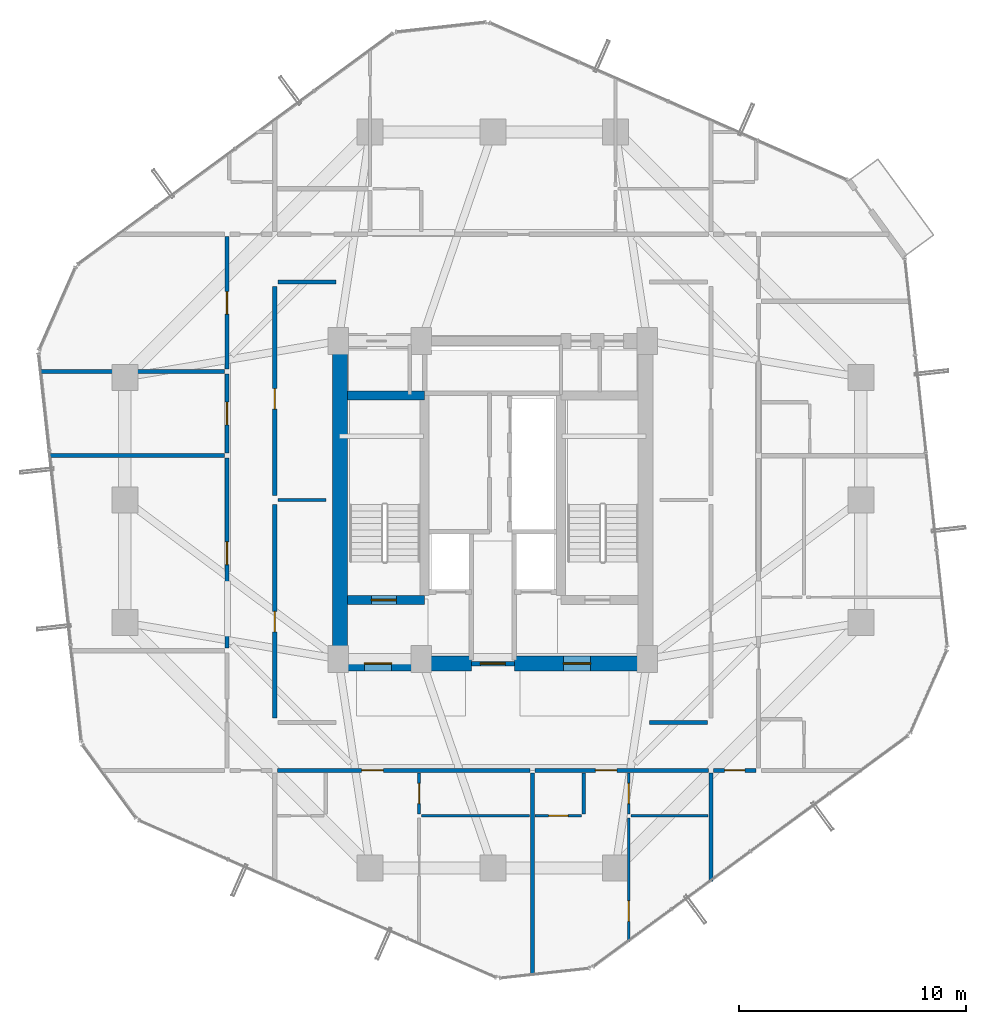
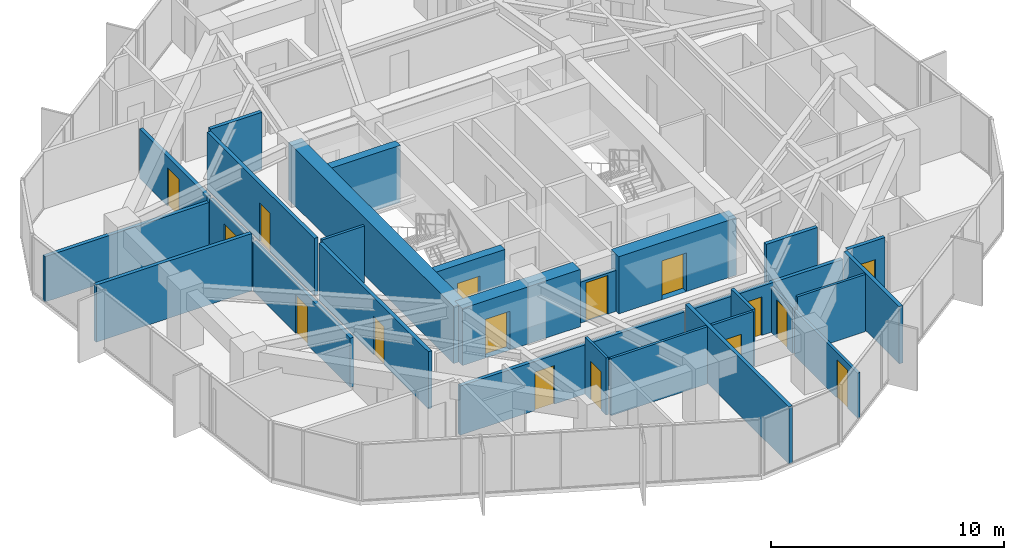
# One storey, part 29 of 34: 28 walls, 16 doors, 16 openings.
"""IFC4 building model written with IfcOpenShell, lengths in metres."""

from ifc_helpers import new_model, si_unit, direction, frame, frame_2d, origin, place, context, subcontext, project, spatial, rectangle, extrude, source, transform, mapped, material, layer, layer_set, type_object, element, fill, save


model = new_model("IFC4")

# Units and contexts
model_context = context("Model", 3, precision=1e-05, world=origin(), true_north=direction((0.0, 1.0)))
body_context = subcontext(model_context, "Body", "Model", "MODEL_VIEW")
ifc_project = project(units=[si_unit("LENGTHUNIT", "METRE"), si_unit("AREAUNIT", "SQUARE_METRE"), si_unit("VOLUMEUNIT", "CUBIC_METRE"), si_unit("PLANEANGLEUNIT", "RADIAN"), si_unit("MASSUNIT", "GRAM", prefix="KILO")], contexts=[model_context])

# Site, building, storey
site_placement = place(None, origin())
site = spatial("IfcSite", under=ifc_project, at=site_placement, CompositionType="ELEMENT")
building_placement = place(site_placement, origin())
building = spatial("IfcBuilding", under=site, at=building_placement, Name="Veraguas Prism Commons", CompositionType="ELEMENT")
storey_placement = place(building_placement, frame((0.0, 0.0, 149.0)))
storey = spatial("IfcBuildingStorey", under=building, at=storey_placement, Name="L42", CompositionType="ELEMENT", Elevation=149.0)

# Wall, opening, door
ifc_material_1 = material(Name="Concrete C50/60", Category="concrete")
ifc_layer_1 = layer(ifc_material_1, 0.39990234375, Name="Clinic and Mid Core Shear Wall RC 400", Category="concrete")
ifc_layer_set_1 = layer_set([ifc_layer_1], Name="Concrete C50/60")
wall_type_1 = type_object("IfcWallType", Name="Clinic and Mid Core Shear Wall RC 400", PredefinedType="SHEAR", material=ifc_layer_set_1)
wall_1_placement = place(storey_placement, frame((17.60009765625, 19.60009765625, 0.0), z_axis=(0.0, 0.0, 1.0), x_axis=(1.0, 0.0, 0.0)))
wall_1 = element("IfcWall", 1, at=wall_1_placement, inside=storey, type_object=wall_type_1, Name="Stair ST-01 South Shear Wall L42", PredefinedType="SHEAR", context=body_context, shape_type="SweptSolid", body=[
    extrude(rectangle(XDim=3.39990234375, YDim=0.39990234375, at=frame_2d((1.699951171875, 0.0))), origin(), (0.0, 0.0, 1.0), 3.0),
])
opening_1_placement = place(wall_1_placement, frame((1.050048828125, 0.0, 0.0)))
opening_1 = element("IfcOpeningElement", 2, at=opening_1_placement, cuts=wall_1, Name="Opening DR-05", PredefinedType="OPENING", context=body_context, shape_type="SweptSolid", body=[
    extrude(rectangle(XDim=1.10009765625, YDim=2.030029296875, at=frame_2d((0.550048828125, 1.01513671875))), frame((0.0, 0.2099609375, 0.0), z_axis=(0.0, -1.0, 0.0), x_axis=(1.0, 0.0, 0.0)), (0.0, 0.0, 1.0), 0.419921875),
])
ifc_material_2 = material(Name="Steel fire-rated door assembly", Category="steel")
door_type_1 = type_object("IfcDoorType", Name="Protected Stair and Refuge Fire Door 1100x2030", OperationType="NOTDEFINED", PredefinedType="DOOR", material=ifc_material_2)
shared_shape_1 = source(origin(), body_context, "Body", "SweptSolid", [
    extrude(rectangle(XDim=1.10009765625, YDim=2.030029296875, at=frame_2d((0.550048828125, 1.01513671875))), frame((0.0, 0.02490234375, 0.0), z_axis=(0.0, -1.0, 0.0), x_axis=(1.0, 0.0, 0.0)), (0.0, 0.0, 1.0), 0.050048828125),
])
door_1_placement = place(opening_1_placement, origin())
door_1 = element("IfcDoor", 3, at=door_1_placement, inside=storey, type_object=door_type_1, Name="Stair ST-01 Enclosure Door L42", OperationType="SINGLE_SWING_LEFT", OverallHeight=2.030029296875, OverallWidth=1.10009765625, PredefinedType="DOOR", context=body_context, shape_type="MappedRepresentation", body=[
    mapped(shared_shape_1, transform((0.0, 0.0, 0.0), scale=1.0)),
])
fill(opening_1, door_1)

# Walls
wall_2_placement = place(storey_placement, frame((17.60009765625, 28.60009765625, 0.0), z_axis=(0.0, 0.0, 1.0), x_axis=(1.0, 0.0, 0.0)))
element("IfcWall", 4, at=wall_2_placement, inside=storey, type_object=wall_type_1, Name="Stair ST-01 North Shear Wall L42", PredefinedType="SHEAR", context=body_context, shape_type="SweptSolid", body=[
    extrude(rectangle(XDim=3.39990234375, YDim=0.39990234375, at=frame_2d((1.699951171875, 0.0))), origin(), (0.0, 0.0, 1.0), 3.0),
])
ifc_material_3 = material(Name="Concrete C55/67", Category="concrete")
ifc_layer_2 = layer(ifc_material_3, 0.64990234375, Name="Core Outer Shear Wall Mid RC 650", Category="concrete")
ifc_layer_set_2 = layer_set([ifc_layer_2], Name="Concrete C55/67")
wall_type_2 = type_object("IfcWallType", Name="Core Outer Shear Wall Mid RC 650", PredefinedType="SHEAR", material=ifc_layer_set_2)
wall_3_placement = place(storey_placement, frame((17.27490234375, 16.800048828125, 0.0), z_axis=(0.0, 0.0, 1.0), x_axis=(0.0, 1.0, 0.0)))
element("IfcWall", 5, at=wall_3_placement, inside=storey, type_object=wall_type_2, Name="Central Core West Shear Wall L42", PredefinedType="SHEAR", context=body_context, shape_type="SweptSolid", body=[
    extrude(rectangle(XDim=14.199951171875, YDim=0.64990234375, at=frame_2d((7.10009765625, 0.0))), origin(), (0.0, 0.0, 1.0), 3.0),
])

# Wall, opening, door
wall_4_placement = place(storey_placement, frame((17.199951171875, 16.800048828125, 0.0), z_axis=(0.0, 0.0, 1.0), x_axis=(1.0, 0.0, 0.0)))
wall_4 = element("IfcWall", 6, at=wall_4_placement, inside=storey, type_object=wall_type_2, Name="Central Core South-West Shear Wall L42", PredefinedType="SHEAR", context=body_context, shape_type="SweptSolid", body=[
    extrude(rectangle(XDim=5.85009765625, YDim=0.64990234375, at=frame_2d((2.925048828125, 0.0))), origin(), (0.0, 0.0, 1.0), 3.0),
])
opening_2_placement = place(wall_4_placement, frame((1.14990234375, 0.0, 0.0)))
opening_2 = element("IfcOpeningElement", 7, at=opening_2_placement, cuts=wall_4, Name="Opening DR-06", PredefinedType="OPENING", context=body_context, shape_type="SweptSolid", body=[
    extrude(rectangle(XDim=1.199951171875, YDim=2.030029296875, at=frame_2d((0.60009765625, 1.01513671875))), frame((0.0, 0.3349609375, 0.0), z_axis=(0.0, -1.0, 0.0), x_axis=(1.0, 0.0, 0.0)), (0.0, 0.0, 1.0), 0.669921875),
])
door_type_2 = type_object("IfcDoorType", Name="Firefighting Lobby Smoke Door 1200x2030", OperationType="NOTDEFINED", PredefinedType="DOOR", material=ifc_material_2)
shared_shape_2 = source(origin(), body_context, "Body", "SweptSolid", [
    extrude(rectangle(XDim=1.199951171875, YDim=2.030029296875, at=frame_2d((0.60009765625, 1.01513671875))), frame((0.0, 0.02490234375, 0.0), z_axis=(0.0, -1.0, 0.0), x_axis=(1.0, 0.0, 0.0)), (0.0, 0.0, 1.0), 0.050048828125),
])
door_2_placement = place(opening_2_placement, origin())
door_2 = element("IfcDoor", 8, at=door_2_placement, inside=storey, type_object=door_type_2, Name="West FF Lobby Door L42", OperationType="SINGLE_SWING_LEFT", OverallHeight=2.030029296875, OverallWidth=1.199951171875, PredefinedType="DOOR", context=body_context, shape_type="MappedRepresentation", body=[
    mapped(shared_shape_2, transform((0.0, 0.0, 0.0), scale=1.0)),
])
fill(opening_2, door_2)

wall_5_placement = place(storey_placement, frame((24.949951171875, 16.800048828125, 0.0), z_axis=(0.0, 0.0, 1.0), x_axis=(1.0, 0.0, 0.0)))
wall_5 = element("IfcWall", 9, at=wall_5_placement, inside=storey, type_object=wall_type_2, Name="Central Core South-East Shear Wall L42", PredefinedType="SHEAR", context=body_context, shape_type="SweptSolid", body=[
    extrude(rectangle(XDim=5.85009765625, YDim=0.64990234375, at=frame_2d((2.925048828125, 0.0))), origin(), (0.0, 0.0, 1.0), 3.0),
])
opening_3_placement = place(wall_5_placement, frame((2.14990234375, 0.0, 0.0)))
opening_3 = element("IfcOpeningElement", 10, at=opening_3_placement, cuts=wall_5, Name="Opening DR-06", PredefinedType="OPENING", context=body_context, shape_type="SweptSolid", body=[
    extrude(rectangle(XDim=1.199951171875, YDim=2.030029296875, at=frame_2d((0.60009765625, 1.01513671875))), frame((0.0, 0.3349609375, 0.0), z_axis=(0.0, -1.0, 0.0), x_axis=(1.0, 0.0, 0.0)), (0.0, 0.0, 1.0), 0.669921875),
])
door_3_placement = place(opening_3_placement, origin())
door_3 = element("IfcDoor", 11, at=door_3_placement, inside=storey, type_object=door_type_2, Name="East FF Lobby Door L42", OperationType="SINGLE_SWING_LEFT", OverallHeight=2.030029296875, OverallWidth=1.199951171875, PredefinedType="DOOR", context=body_context, shape_type="MappedRepresentation", body=[
    mapped(shared_shape_2, transform((0.0, 0.0, 0.0), scale=1.0)),
])
fill(opening_3, door_3)

ifc_material_4 = material(Name="Autoclaved aerated masonry block 10 MPa", Category="masonry")
ifc_layer_3 = layer(ifc_material_4, 0.179931640625, Name="Corridor and Inter-Tenancy Partition 180", Category="masonry")
ifc_layer_set_3 = layer_set([ifc_layer_3], Name="Autoclaved aerated masonry block 10 MPa")
wall_type_3 = type_object("IfcWallType", Name="Corridor and Inter-Tenancy Partition 180", PredefinedType="PARTITIONING", material=ifc_layer_set_3)
wall_6_placement = place(storey_placement, frame((14.39990234375, 14.39990234375, 0.0), z_axis=(0.0, 0.0, 1.0), x_axis=(0.0, 1.0, 0.0)))
wall_6 = element("IfcWall", 12, at=wall_6_placement, inside=storey, type_object=wall_type_3, Name="WL-L42-IRW1", PredefinedType="PARTITIONING", context=body_context, shape_type="SweptSolid", body=[
    extrude(rectangle(XDim=9.400146484375, YDim=0.179931640625, at=frame_2d((4.7001953125, 0.0))), origin(), (0.0, 0.0, 1.0), 3.0),
])
opening_4_placement = place(wall_6_placement, frame((3.800048828125, 0.0, 0.0)))
opening_4 = element("IfcOpeningElement", 13, at=opening_4_placement, cuts=wall_6, Name="Opening DR-14", PredefinedType="OPENING", context=body_context, shape_type="SweptSolid", body=[
    extrude(rectangle(XDim=0.89990234375, YDim=2.010009765625, at=frame_2d((0.449951171875, 1.0048828125))), frame((0.0, 0.099853515625, 0.0), z_axis=(0.0, -1.0, 0.0), x_axis=(1.0, 0.0, 0.0)), (0.0, 0.0, 1.0), 0.199951171875),
])
door_type_3 = type_object("IfcDoorType", Name="Core Service Room Fire Door 900x2010", OperationType="NOTDEFINED", PredefinedType="DOOR", material=ifc_material_2)
shared_shape_3 = source(origin(), body_context, "Body", "SweptSolid", [
    extrude(rectangle(XDim=0.89990234375, YDim=2.010009765625, at=frame_2d((0.449951171875, 1.0048828125))), frame((0.0, 0.02490234375, 0.0), z_axis=(0.0, -1.0, 0.0), x_axis=(1.0, 0.0, 0.0)), (0.0, 0.0, 1.0), 0.050048828125),
])
door_4_placement = place(opening_4_placement, origin())
door_4 = element("IfcDoor", 14, at=door_4_placement, inside=storey, type_object=door_type_3, Name="Residents Quiet Study Pod Door L42", OperationType="SINGLE_SWING_RIGHT", OverallHeight=2.010009765625, OverallWidth=0.89990234375, PredefinedType="DOOR", context=body_context, shape_type="MappedRepresentation", body=[
    mapped(shared_shape_3, transform((0.0, 0.0, 0.0), scale=1.0)),
])
fill(opening_4, door_4)

wall_7_placement = place(storey_placement, frame((14.39990234375, 24.199951171875, 0.0), z_axis=(0.0, 0.0, 1.0), x_axis=(0.0, 1.0, 0.0)))
wall_7 = element("IfcWall", 15, at=wall_7_placement, inside=storey, type_object=wall_type_3, Name="WL-L42-IRW2", PredefinedType="PARTITIONING", context=body_context, shape_type="SweptSolid", body=[
    extrude(rectangle(XDim=9.199951171875, YDim=0.179931640625, at=frame_2d((4.60009765625, 0.0))), origin(), (0.0, 0.0, 1.0), 3.0),
])
opening_5_placement = place(wall_7_placement, frame((3.800048828125, 0.0, 0.0)))
opening_5 = element("IfcOpeningElement", 16, at=opening_5_placement, cuts=wall_7, Name="Opening DR-14", PredefinedType="OPENING", context=body_context, shape_type="SweptSolid", body=[
    extrude(rectangle(XDim=0.89990234375, YDim=2.010009765625, at=frame_2d((0.449951171875, 1.0048828125))), frame((0.0, 0.099853515625, 0.0), z_axis=(0.0, -1.0, 0.0), x_axis=(1.0, 0.0, 0.0)), (0.0, 0.0, 1.0), 0.199951171875),
])
door_5_placement = place(opening_5_placement, origin())
door_5 = element("IfcDoor", 17, at=door_5_placement, inside=storey, type_object=door_type_3, Name="Co-op Cycle and Pram Store Door L42", OperationType="SINGLE_SWING_LEFT", OverallHeight=2.010009765625, OverallWidth=0.89990234375, PredefinedType="DOOR", context=body_context, shape_type="MappedRepresentation", body=[
    mapped(shared_shape_3, transform((0.0, 0.0, 0.0), scale=1.0)),
])
fill(opening_5, door_5)

# Walls
for number, where, z_axis, x_axis, name in (
    (18, (14.550048828125, 33.60009765625, 0.0), (0.0, 0.0, 1.0), (1.0, 0.0, 0.0), "WL-L42-IRWN"),
    (19, (30.89990234375, 14.199951171875, 0.0), (0.0, 0.0, 1.0), (1.0, 0.0, 0.0), "WL-L42-IRES"),
):
    element("IfcWall", number, at=place(storey_placement, frame(where, z_axis=z_axis, x_axis=x_axis)), inside=storey, type_object=wall_type_3, Name=name, PredefinedType="PARTITIONING", context=body_context, shape_type="SweptSolid", body=[
        extrude(rectangle(XDim=2.550048828125, YDim=0.179931640625, at=frame_2d((1.27490234375, 0.0))), origin(), (0.0, 0.0, 1.0), 3.0),
    ])
wall_8_placement = place(storey_placement, frame((33.60009765625, 11.97998046875, 0.0), z_axis=(0.0, 0.0, 1.0), x_axis=(0.0, -1.0, 0.0)))
element("IfcWall", 20, at=wall_8_placement, inside=storey, type_object=wall_type_3, Name="WL-L42-PT002", PredefinedType="PARTITIONING", context=body_context, shape_type="SweptSolid", body=[
    extrude(rectangle(XDim=4.76513671875, YDim=0.179931640625, at=frame_2d((2.382568359375, 0.0))), origin(), (0.0, 0.0, 1.0), 3.0),
])

# Wall, opening, door
wall_9_placement = place(storey_placement, frame((14.510009765625, 12.10009765625, 0.0), z_axis=(0.0, 0.0, 1.0), x_axis=(1.0, 0.0, 0.0)))
wall_9 = element("IfcWall", 21, at=wall_9_placement, inside=storey, type_object=wall_type_3, Name="WL-L42-PT003", PredefinedType="PARTITIONING", context=body_context, shape_type="SweptSolid", body=[
    extrude(rectangle(XDim=11.1240234375, YDim=0.179931640625, at=frame_2d((5.56201171875, 0.0))), origin(), (0.0, 0.0, 1.0), 2.580078125),
])
opening_6_placement = place(wall_9_placement, frame((3.716552734375, 0.0, 0.0)))
opening_6 = element("IfcOpeningElement", 22, at=opening_6_placement, cuts=wall_9, Name="Opening DR-01", PredefinedType="OPENING", context=body_context, shape_type="SweptSolid", body=[
    extrude(rectangle(XDim=0.949951171875, YDim=2.02001953125, at=frame_2d((0.47509765625, 1.010009765625))), frame((0.0, 0.099853515625, 0.0), z_axis=(0.0, -1.0, 0.0), x_axis=(1.0, 0.0, 0.0)), (0.0, 0.0, 1.0), 0.199951171875),
])
ifc_material_5 = material(Name="Anodised aluminium EN AW-6063 T6", Category="aluminium")
door_type_4 = type_object("IfcDoorType", Name="Apartment Entrance Fire Door 950x2020", OperationType="NOTDEFINED", PredefinedType="DOOR", material=ifc_material_5)
shared_shape_4 = source(origin(), body_context, "Body", "SweptSolid", [
    extrude(rectangle(XDim=0.949951171875, YDim=2.02001953125, at=frame_2d((0.47509765625, 1.010009765625))), frame((0.0, 0.02490234375, 0.0), z_axis=(0.0, -1.0, 0.0), x_axis=(1.0, 0.0, 0.0)), (0.0, 0.0, 1.0), 0.050048828125),
])
door_6_placement = place(opening_6_placement, origin())
door_6 = element("IfcDoor", 23, at=door_6_placement, inside=storey, type_object=door_type_4, Name="Flat 42A Entrance Door", OperationType="SINGLE_SWING_RIGHT", OverallHeight=2.02001953125, OverallWidth=0.949951171875, PredefinedType="DOOR", context=body_context, shape_type="MappedRepresentation", body=[
    mapped(shared_shape_4, transform((0.0, 0.0, 0.0), scale=1.0)),
])
fill(opening_6, door_6)

# Wall
wall_10_placement = place(storey_placement, frame((25.743896484375, 11.97998046875, 0.0), z_axis=(0.0, 0.0, 1.0), x_axis=(0.0, -1.0, 0.0)))
element("IfcWall", 24, at=wall_10_placement, inside=storey, type_object=wall_type_3, Name="WL-L42-PT009", PredefinedType="PARTITIONING", context=body_context, shape_type="SweptSolid", body=[
    extrude(rectangle(XDim=8.8955078125, YDim=0.179931640625, at=frame_2d((4.44775390625, 0.0))), origin(), (0.0, 0.0, 1.0), 3.0),
])

# Wall, opening, door
wall_11_placement = place(storey_placement, frame((25.85400390625, 12.10009765625, 0.0), z_axis=(0.0, 0.0, 1.0), x_axis=(1.0, 0.0, 0.0)))
wall_11 = element("IfcWall", 25, at=wall_11_placement, inside=storey, type_object=wall_type_3, Name="WL-L42-PT010", PredefinedType="PARTITIONING", context=body_context, shape_type="SweptSolid", body=[
    extrude(rectangle(XDim=7.635986328125, YDim=0.179931640625, at=frame_2d((3.81787109375, 0.0))), origin(), (0.0, 0.0, 1.0), 2.580078125),
])
opening_7_placement = place(wall_11_placement, frame((2.660888671875, 0.0, 0.0)))
opening_7 = element("IfcOpeningElement", 26, at=opening_7_placement, cuts=wall_11, Name="Opening DR-01", PredefinedType="OPENING", context=body_context, shape_type="SweptSolid", body=[
    extrude(rectangle(XDim=0.949951171875, YDim=2.02001953125, at=frame_2d((0.47509765625, 1.010009765625))), frame((0.0, 0.099853515625, 0.0), z_axis=(0.0, -1.0, 0.0), x_axis=(1.0, 0.0, 0.0)), (0.0, 0.0, 1.0), 0.199951171875),
])
door_7_placement = place(opening_7_placement, origin())
door_7 = element("IfcDoor", 27, at=door_7_placement, inside=storey, type_object=door_type_4, Name="Flat 42B Entrance Door", OperationType="SINGLE_SWING_RIGHT", OverallHeight=2.02001953125, OverallWidth=0.949951171875, PredefinedType="DOOR", context=body_context, shape_type="MappedRepresentation", body=[
    mapped(shared_shape_4, transform((0.0, 0.0, 0.0), scale=1.0)),
])
fill(opening_7, door_7)

wall_12_placement = place(storey_placement, frame((12.300048828125, 17.47412109375, 0.0), z_axis=(0.0, 0.0, 1.0), x_axis=(0.0, 1.0, 0.0)))
wall_12 = element("IfcWall", 28, at=wall_12_placement, inside=storey, type_object=wall_type_3, Name="WL-L42-PT031", PredefinedType="PARTITIONING", context=body_context, shape_type="SweptSolid", body=[
    extrude(rectangle(XDim=8.367919921875, YDim=0.179931640625, at=frame_2d((4.18408203125, 0.0))), origin(), (0.0, 0.0, 1.0), 2.580078125),
])
opening_8_placement = place(wall_12_placement, frame((3.68408203125, 0.0, 0.0)))
opening_8 = element("IfcOpeningElement", 29, at=opening_8_placement, cuts=wall_12, Name="Opening DR-13", PredefinedType="OPENING", context=body_context, shape_type="SweptSolid", body=[
    extrude(rectangle(XDim=1.0, YDim=2.010009765625, at=frame_2d((0.5, 1.0048828125))), frame((0.0, 0.099853515625, 0.0), z_axis=(0.0, -1.0, 0.0), x_axis=(1.0, 0.0, 0.0)), (0.0, 0.0, 1.0), 0.199951171875),
])
door_type_5 = type_object("IfcDoorType", Name="Core Accessible WC and Clinic Fire Door 1000x2010", OperationType="NOTDEFINED", PredefinedType="DOOR", material=ifc_material_2)
shared_shape_5 = source(origin(), body_context, "Body", "SweptSolid", [
    extrude(rectangle(XDim=1.0, YDim=2.010009765625, at=frame_2d((0.5, 1.0048828125))), frame((0.0, 0.02490234375, 0.0), z_axis=(0.0, -1.0, 0.0), x_axis=(1.0, 0.0, 0.0)), (0.0, 0.0, 1.0), 0.050048828125),
])
door_8_placement = place(opening_8_placement, origin())
door_8 = element("IfcDoor", 30, at=door_8_placement, inside=storey, type_object=door_type_5, Name="Co-op Store W Door", OperationType="SINGLE_SWING_LEFT", OverallHeight=2.010009765625, OverallWidth=1.0, PredefinedType="DOOR", context=body_context, shape_type="MappedRepresentation", body=[
    mapped(shared_shape_5, transform((0.0, 0.0, 0.0), scale=1.0)),
])
fill(opening_8, door_8)

# Wall
wall_13_placement = place(storey_placement, frame((12.179931640625, 25.951904296875, 0.0), z_axis=(0.0, 0.0, 1.0), x_axis=(-1.0, 0.0, 0.0)))
element("IfcWall", 31, at=wall_13_placement, inside=storey, type_object=wall_type_3, Name="WL-L42-PT033", PredefinedType="PARTITIONING", context=body_context, shape_type="SweptSolid", body=[
    extrude(rectangle(XDim=7.7216796875, YDim=0.179931640625, at=frame_2d((3.86083984375, 0.0))), origin(), (0.0, 0.0, 1.0), 3.0),
])

# Wall, opening, door
wall_14_placement = place(storey_placement, frame((12.300048828125, 26.06201171875, 0.0), z_axis=(0.0, 0.0, 1.0), x_axis=(0.0, 1.0, 0.0)))
wall_14 = element("IfcWall", 32, at=wall_14_placement, inside=storey, type_object=wall_type_3, Name="WL-L42-PT034", PredefinedType="PARTITIONING", context=body_context, shape_type="SweptSolid", body=[
    extrude(rectangle(XDim=3.48388671875, YDim=0.179931640625, at=frame_2d((1.741943359375, 0.0))), origin(), (0.0, 0.0, 1.0), 2.580078125),
])
opening_9_placement = place(wall_14_placement, frame((1.241943359375, 0.0, 0.0)))
opening_9 = element("IfcOpeningElement", 33, at=opening_9_placement, cuts=wall_14, Name="Opening DR-13", PredefinedType="OPENING", context=body_context, shape_type="SweptSolid", body=[
    extrude(rectangle(XDim=1.0, YDim=2.010009765625, at=frame_2d((0.5, 1.0048828125))), frame((0.0, 0.099853515625, 0.0), z_axis=(0.0, -1.0, 0.0), x_axis=(1.0, 0.0, 0.0)), (0.0, 0.0, 1.0), 0.199951171875),
])
door_9_placement = place(opening_9_placement, origin())
door_9 = element("IfcDoor", 34, at=door_9_placement, inside=storey, type_object=door_type_5, Name="Youth Homework Study Room Door", OperationType="SINGLE_SWING_RIGHT", OverallHeight=2.010009765625, OverallWidth=1.0, PredefinedType="DOOR", context=body_context, shape_type="MappedRepresentation", body=[
    mapped(shared_shape_5, transform((0.0, 0.0, 0.0), scale=1.0)),
])
fill(opening_9, door_9)

wall_15_placement = place(storey_placement, frame((12.300048828125, 29.76611328125, 0.0), z_axis=(0.0, 0.0, 1.0), x_axis=(0.0, 1.0, 0.0)))
wall_15 = element("IfcWall", 35, at=wall_15_placement, inside=storey, type_object=wall_type_3, Name="WL-L42-PT035", PredefinedType="PARTITIONING", context=body_context, shape_type="SweptSolid", body=[
    extrude(rectangle(XDim=5.823974609375, YDim=0.179931640625, at=frame_2d((2.912109375, 0.0))), origin(), (0.0, 0.0, 1.0), 2.580078125),
])
opening_10_placement = place(wall_15_placement, frame((2.412109375, 0.0, 0.0)))
opening_10 = element("IfcOpeningElement", 36, at=opening_10_placement, cuts=wall_15, Name="Opening DR-13", PredefinedType="OPENING", context=body_context, shape_type="SweptSolid", body=[
    extrude(rectangle(XDim=1.0, YDim=2.010009765625, at=frame_2d((0.5, 1.0048828125))), frame((0.0, 0.099853515625, 0.0), z_axis=(0.0, -1.0, 0.0), x_axis=(1.0, 0.0, 0.0)), (0.0, 0.0, 1.0), 0.199951171875),
])
door_10_placement = place(opening_10_placement, origin())
door_10 = element("IfcDoor", 37, at=door_10_placement, inside=storey, type_object=door_type_5, Name="Co-op Store W Door", OperationType="SINGLE_SWING_LEFT", OverallHeight=2.010009765625, OverallWidth=1.0, PredefinedType="DOOR", context=body_context, shape_type="MappedRepresentation", body=[
    mapped(shared_shape_5, transform((0.0, 0.0, 0.0), scale=1.0)),
])
fill(opening_10, door_10)

# Wall
wall_16_placement = place(storey_placement, frame((12.179931640625, 29.656005859375, 0.0), z_axis=(0.0, 0.0, 1.0), x_axis=(-1.0, 0.0, 0.0)))
element("IfcWall", 38, at=wall_16_placement, inside=storey, type_object=wall_type_3, Name="WL-L42-PT036", PredefinedType="PARTITIONING", context=body_context, shape_type="SweptSolid", body=[
    extrude(rectangle(XDim=8.1279296875, YDim=0.179931640625, at=frame_2d((4.06396484375, 0.0))), origin(), (0.0, 0.0, 1.0), 2.3779296875),
])

# Wall, opening, door
wall_17_placement = place(storey_placement, frame((33.719970703125, 12.10009765625, 0.0), z_axis=(0.0, 0.0, 1.0), x_axis=(1.0, 0.0, 0.0)))
wall_17 = element("IfcWall", 39, at=wall_17_placement, inside=storey, type_object=wall_type_3, Name="WL-L42-PT052", PredefinedType="PARTITIONING", context=body_context, shape_type="SweptSolid", body=[
    extrude(rectangle(XDim=1.860107421875, YDim=0.179931640625, at=frame_2d((0.93017578125, 0.0))), origin(), (0.0, 0.0, 1.0), 3.0),
])
opening_11_placement = place(wall_17_placement, frame((0.47998046875, 0.0, 0.0)))
opening_11 = element("IfcOpeningElement", 40, at=opening_11_placement, cuts=wall_17, Name="Opening DR-14", PredefinedType="OPENING", context=body_context, shape_type="SweptSolid", body=[
    extrude(rectangle(XDim=0.89990234375, YDim=2.010009765625, at=frame_2d((0.449951171875, 1.0048828125))), frame((0.0, 0.099853515625, 0.0), z_axis=(0.0, -1.0, 0.0), x_axis=(1.0, 0.0, 0.0)), (0.0, 0.0, 1.0), 0.199951171875),
])
door_11_placement = place(opening_11_placement, origin())
door_11 = element("IfcDoor", 41, at=door_11_placement, inside=storey, type_object=door_type_3, Name="Community Co-op Kitchen SE Door", OperationType="SINGLE_SWING_RIGHT", OverallHeight=2.010009765625, OverallWidth=0.89990234375, PredefinedType="DOOR", context=body_context, shape_type="MappedRepresentation", body=[
    mapped(shared_shape_3, transform((0.0, 0.0, 0.0), scale=1.0)),
])
fill(opening_11, door_11)

# Wall
ifc_material_6 = material(Name="Lightweight acoustic gypsum board")
ifc_layer_4 = layer(ifc_material_6, 0.125, Name="Internal Apartment Room Partition 125")
ifc_layer_set_4 = layer_set([ifc_layer_4], Name="Lightweight acoustic gypsum board")
wall_type_4 = type_object("IfcWallType", Name="Internal Apartment Room Partition 125", PredefinedType="PARTITIONING", material=ifc_layer_set_4)
wall_18_placement = place(storey_placement, frame((14.550048828125, 24.0, 0.0), z_axis=(0.0, 0.0, 1.0), x_axis=(1.0, 0.0, 0.0)))
element("IfcWall", 42, at=wall_18_placement, inside=storey, type_object=wall_type_4, Name="WL-L42-IRWM", PredefinedType="PARTITIONING", context=body_context, shape_type="SweptSolid", body=[
    extrude(rectangle(XDim=2.099853515625, YDim=0.125, at=frame_2d((1.0498046875, 0.0))), origin(), (0.0, 0.0, 1.0), 3.0),
])

# Wall, opening, door
wall_19_placement = place(storey_placement, frame((20.7529296875, 11.97998046875, 0.0), z_axis=(0.0, 0.0, 1.0), x_axis=(0.0, -1.0, 0.0)))
wall_19 = element("IfcWall", 43, at=wall_19_placement, inside=storey, type_object=wall_type_4, Name="WL-L42-PT006", PredefinedType="PARTITIONING", context=body_context, shape_type="SweptSolid", body=[
    extrude(rectangle(XDim=1.800048828125, YDim=0.125, at=frame_2d((0.89990234375, 0.0))), origin(), (0.0, 0.0, 1.0), 3.0),
])
opening_12_placement = place(wall_19_placement, frame((0.449951171875, 0.0, 0.0)))
opening_12 = element("IfcOpeningElement", 44, at=opening_12_placement, cuts=wall_19, Name="Opening DR-02", PredefinedType="OPENING", context=body_context, shape_type="SweptSolid", body=[
    extrude(rectangle(XDim=0.89990234375, YDim=2.010009765625, at=frame_2d((0.449951171875, 1.0048828125))), frame((0.0, 0.072509765625, 0.0), z_axis=(0.0, -1.0, 0.0), x_axis=(1.0, 0.0, 0.0)), (0.0, 0.0, 1.0), 0.14501953125),
])
ifc_material_7 = material(Name="Timber solid core hardwood", Category="wood")
door_type_6 = type_object("IfcDoorType", Name="Internal Habitable Room Door 900x2010", OperationType="NOTDEFINED", PredefinedType="DOOR", material=ifc_material_7)
door_12_placement = place(opening_12_placement, origin())
door_12 = element("IfcDoor", 45, at=door_12_placement, inside=storey, type_object=door_type_6, Name="Flat 42A Kitchen Door", OperationType="SINGLE_SWING_RIGHT", OverallHeight=2.010009765625, OverallWidth=0.89990234375, PredefinedType="DOOR", context=body_context, shape_type="MappedRepresentation", body=[
    mapped(shared_shape_3, transform((0.0, 0.0, 0.0), scale=1.0)),
])
fill(opening_12, door_12)

# Wall
wall_20_placement = place(storey_placement, frame((20.85302734375, 10.10009765625, 0.0), z_axis=(0.0, 0.0, 1.0), x_axis=(1.0, 0.0, 0.0)))
element("IfcWall", 46, at=wall_20_placement, inside=storey, type_object=wall_type_4, Name="WL-L42-PT007", PredefinedType="PARTITIONING", context=body_context, shape_type="SweptSolid", body=[
    extrude(rectangle(XDim=4.77099609375, YDim=0.125, at=frame_2d((2.385498046875, 0.0))), origin(), (0.0, 0.0, 1.0), 3.0),
])

# Wall, opening, door
wall_21_placement = place(storey_placement, frame((25.864013671875, 10.10009765625, 0.0), z_axis=(0.0, 0.0, 1.0), x_axis=(1.0, 0.0, 0.0)))
wall_21 = element("IfcWall", 47, at=wall_21_placement, inside=storey, type_object=wall_type_4, Name="WL-L42-PT012", PredefinedType="PARTITIONING", context=body_context, shape_type="SweptSolid", body=[
    extrude(rectangle(XDim=2.050048828125, YDim=0.125, at=frame_2d((1.02490234375, 0.0))), origin(), (0.0, 0.0, 1.0), 3.0),
])
opening_13_placement = place(wall_21_placement, frame((0.594970703125, 0.0, 0.0)))
opening_13 = element("IfcOpeningElement", 48, at=opening_13_placement, cuts=wall_21, Name="Opening DR-03", PredefinedType="OPENING", context=body_context, shape_type="SweptSolid", body=[
    extrude(rectangle(XDim=0.860107421875, YDim=2.010009765625, at=frame_2d((0.43017578125, 1.0048828125))), frame((0.0, 0.072509765625, 0.0), z_axis=(0.0, -1.0, 0.0), x_axis=(1.0, 0.0, 0.0)), (0.0, 0.0, 1.0), 0.14501953125),
])
ifc_material_8 = material(Name="Timber moisture-resistant leaf", Category="wood")
door_type_7 = type_object("IfcDoorType", Name="Internal Bathroom Door 860x2010", OperationType="NOTDEFINED", PredefinedType="DOOR", material=ifc_material_8)
shared_shape_6 = source(origin(), body_context, "Body", "SweptSolid", [
    extrude(rectangle(XDim=0.860107421875, YDim=2.010009765625, at=frame_2d((0.43017578125, 1.0048828125))), frame((0.0, 0.02490234375, 0.0), z_axis=(0.0, -1.0, 0.0), x_axis=(1.0, 0.0, 0.0)), (0.0, 0.0, 1.0), 0.050048828125),
])
door_13_placement = place(opening_13_placement, origin())
door_13 = element("IfcDoor", 49, at=door_13_placement, inside=storey, type_object=door_type_7, Name="Flat 42B Bathroom Door", OperationType="SINGLE_SWING_LEFT", OverallHeight=2.010009765625, OverallWidth=0.860107421875, PredefinedType="DOOR", context=body_context, shape_type="MappedRepresentation", body=[
    mapped(shared_shape_6, transform((0.0, 0.0, 0.0), scale=1.0)),
])
fill(opening_13, door_13)

wall_22_placement = place(storey_placement, frame((29.986083984375, 11.97998046875, 0.0), z_axis=(0.0, 0.0, 1.0), x_axis=(0.0, -1.0, 0.0)))
wall_22 = element("IfcWall", 50, at=wall_22_placement, inside=storey, type_object=wall_type_4, Name="WL-L42-PT013", PredefinedType="PARTITIONING", context=body_context, shape_type="SweptSolid", body=[
    extrude(rectangle(XDim=1.800048828125, YDim=0.125, at=frame_2d((0.89990234375, 0.0))), origin(), (0.0, 0.0, 1.0), 2.3779296875),
])
opening_14_placement = place(wall_22_placement, frame((0.449951171875, 0.0, 0.0)))
opening_14 = element("IfcOpeningElement", 51, at=opening_14_placement, cuts=wall_22, Name="Opening DR-02", PredefinedType="OPENING", context=body_context, shape_type="SweptSolid", body=[
    extrude(rectangle(XDim=0.89990234375, YDim=2.010009765625, at=frame_2d((0.449951171875, 1.0048828125))), frame((0.0, 0.072509765625, 0.0), z_axis=(0.0, -1.0, 0.0), x_axis=(1.0, 0.0, 0.0)), (0.0, 0.0, 1.0), 0.14501953125),
])
door_14_placement = place(opening_14_placement, origin())
door_14 = element("IfcDoor", 52, at=door_14_placement, inside=storey, type_object=door_type_6, Name="Flat 42B Kitchen Door", OperationType="SINGLE_SWING_RIGHT", OverallHeight=2.010009765625, OverallWidth=0.89990234375, PredefinedType="DOOR", context=body_context, shape_type="MappedRepresentation", body=[
    mapped(shared_shape_3, transform((0.0, 0.0, 0.0), scale=1.0)),
])
fill(opening_14, door_14)

# Wall
wall_23_placement = place(storey_placement, frame((30.0859375, 10.10009765625, 0.0), z_axis=(0.0, 0.0, 1.0), x_axis=(1.0, 0.0, 0.0)))
element("IfcWall", 53, at=wall_23_placement, inside=storey, type_object=wall_type_4, Name="WL-L42-PT014", PredefinedType="PARTITIONING", context=body_context, shape_type="SweptSolid", body=[
    extrude(rectangle(XDim=3.39404296875, YDim=0.125, at=frame_2d((1.697021484375, 0.0))), origin(), (0.0, 0.0, 1.0), 3.0),
])

# Wall, opening, door
wall_24_placement = place(storey_placement, frame((29.986083984375, 10.0, 0.0), z_axis=(0.0, 0.0, 1.0), x_axis=(0.0, -1.0, 0.0)))
wall_24 = element("IfcWall", 54, at=wall_24_placement, inside=storey, type_object=wall_type_4, Name="WL-L42-PT015", PredefinedType="PARTITIONING", context=body_context, shape_type="SweptSolid", body=[
    extrude(rectangle(XDim=5.43603515625, YDim=0.125, at=frame_2d((2.718017578125, 0.0))), origin(), (0.0, 0.0, 1.0), 2.3779296875),
])
opening_15_placement = place(wall_24_placement, frame((3.646728515625, 0.0, 0.0)))
opening_15 = element("IfcOpeningElement", 55, at=opening_15_placement, cuts=wall_24, Name="Opening DR-02", PredefinedType="OPENING", context=body_context, shape_type="SweptSolid", body=[
    extrude(rectangle(XDim=0.89990234375, YDim=2.010009765625, at=frame_2d((0.449951171875, 1.0048828125))), frame((0.0, 0.072509765625, 0.0), z_axis=(0.0, -1.0, 0.0), x_axis=(1.0, 0.0, 0.0)), (0.0, 0.0, 1.0), 0.14501953125),
])
door_15_placement = place(opening_15_placement, origin())
door_15 = element("IfcDoor", 56, at=door_15_placement, inside=storey, type_object=door_type_6, Name="Flat 42B Bedroom 1 Door", OperationType="SINGLE_SWING_LEFT", OverallHeight=2.010009765625, OverallWidth=0.89990234375, PredefinedType="DOOR", context=body_context, shape_type="MappedRepresentation", body=[
    mapped(shared_shape_3, transform((0.0, 0.0, 0.0), scale=1.0)),
])
fill(opening_15, door_15)

ifc_layer_5 = layer(ifc_material_4, 0.199951171875, Name="Rated Shaft and Lobby Block Wall 200", Category="masonry")
ifc_layer_set_5 = layer_set([ifc_layer_5], Name="Autoclaved aerated masonry block 10 MPa")
wall_type_5 = type_object("IfcWallType", Name="Rated Shaft and Lobby Block Wall 200", PredefinedType="SOLIDWALL", material=ifc_layer_set_5)
wall_25_placement = place(storey_placement, frame((23.050048828125, 16.800048828125, 0.0), z_axis=(0.0, 0.0, 1.0), x_axis=(1.0, 0.0, 0.0)))
wall_25 = element("IfcWall", 57, at=wall_25_placement, inside=storey, type_object=wall_type_5, Name="Central Core Lobby Entrance Wall L42", PredefinedType="SOLIDWALL", context=body_context, shape_type="SweptSolid", body=[
    extrude(rectangle(XDim=1.89990234375, YDim=0.199951171875, at=frame_2d((0.949951171875, 0.0))), origin(), (0.0, 0.0, 1.0), 2.14990234375),
])
opening_16_placement = place(wall_25_placement, frame((0.39990234375, 0.0, 0.0)))
opening_16 = element("IfcOpeningElement", 58, at=opening_16_placement, cuts=wall_25, Name="Opening DR-05", PredefinedType="OPENING", context=body_context, shape_type="SweptSolid", body=[
    extrude(rectangle(XDim=1.10009765625, YDim=2.030029296875, at=frame_2d((0.550048828125, 1.01513671875))), frame((0.0, 0.10986328125, 0.0), z_axis=(0.0, -1.0, 0.0), x_axis=(1.0, 0.0, 0.0)), (0.0, 0.0, 1.0), 0.219970703125),
])
door_16_placement = place(opening_16_placement, origin())
door_16 = element("IfcDoor", 59, at=door_16_placement, inside=storey, type_object=door_type_1, Name="Central Lobby Door L42", OperationType="SINGLE_SWING_RIGHT", OverallHeight=2.030029296875, OverallWidth=1.10009765625, PredefinedType="DOOR", context=body_context, shape_type="MappedRepresentation", body=[
    mapped(shared_shape_1, transform((0.0, 0.0, 0.0), scale=1.0)),
])
fill(opening_16, door_16)

# Wall
ifc_layer_6 = layer(ifc_material_6, 0.14990234375, Name="Wet Room and Clinic Acoustic Partition 150")
ifc_layer_set_6 = layer_set([ifc_layer_6], Name="Lightweight acoustic gypsum board")
wall_type_6 = type_object("IfcWallType", Name="Wet Room and Clinic Acoustic Partition 150", PredefinedType="PARTITIONING", material=ifc_layer_set_6)
wall_26_placement = place(storey_placement, frame((27.993896484375, 11.97998046875, 0.0), z_axis=(0.0, 0.0, 1.0), x_axis=(0.0, -1.0, 0.0)))
element("IfcWall", 60, at=wall_26_placement, inside=storey, type_object=wall_type_6, Name="WL-L42-PT011", PredefinedType="PARTITIONING", context=body_context, shape_type="SweptSolid", body=[
    extrude(rectangle(XDim=1.800048828125, YDim=0.14990234375, at=frame_2d((0.89990234375, 0.0))), origin(), (0.0, 0.0, 1.0), 3.0),
])

save(model, "model.ifc")
